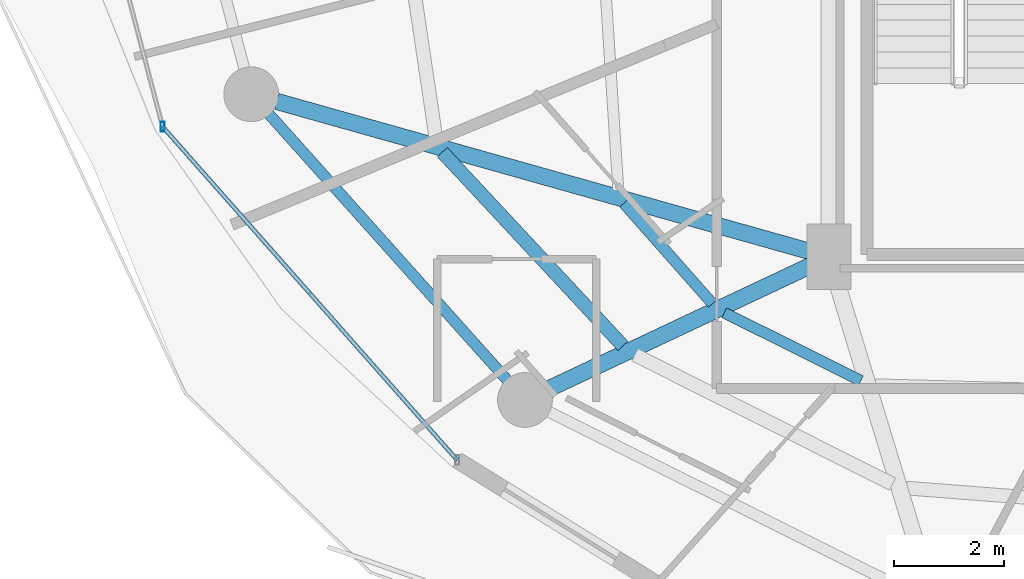
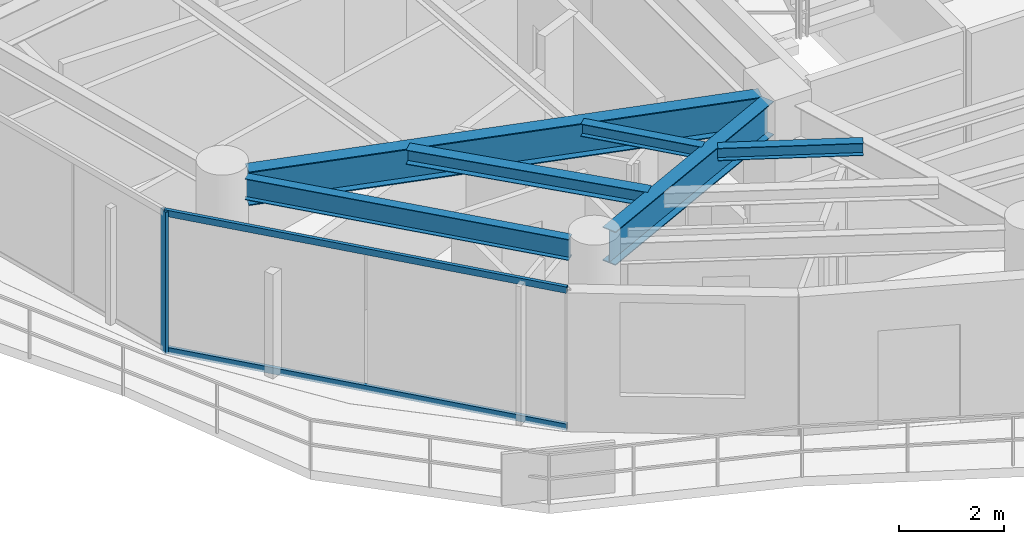
# One storey, part 3 of 28: 6 beams, 3 members, 1 element without a shape of its own.
"""IFC4 building model written with IfcOpenShell, lengths in metres."""

from ifc_helpers import new_model, si_unit, direction, frame, origin, origin_2d, place, context, subcontext, project, spatial, hollow_rectangle, i_section, extrude, material, material_profile, profile_set, type_object, element, aggregate, save


model = new_model("IFC4")

# Units and contexts
model_context = context("Model", 3, precision=1e-05, world=origin(), true_north=direction((0.0, 1.0)))
body_context = subcontext(model_context, "Body", "Model", "MODEL_VIEW")
ifc_project = project(units=[si_unit("LENGTHUNIT", "METRE"), si_unit("AREAUNIT", "SQUARE_METRE"), si_unit("VOLUMEUNIT", "CUBIC_METRE"), si_unit("PLANEANGLEUNIT", "RADIAN"), si_unit("MASSUNIT", "GRAM", prefix="KILO")], contexts=[model_context])

# Site, building, storey
site_placement = place(None, origin())
site = spatial("IfcSite", under=ifc_project, at=site_placement, CompositionType="ELEMENT")
building_placement = place(site_placement, origin())
building = spatial("IfcBuilding", under=site, at=building_placement, Name="Vorneva Point Tower", CompositionType="ELEMENT")
storey_placement = place(building_placement, frame((0.0, 0.0, 164.10009765625)))
storey = spatial("IfcBuildingStorey", under=building, at=storey_placement, Name="L44", CompositionType="ELEMENT", Elevation=164.10009765625)

# Beams
ifc_material_1 = material(Name="Steel S355", Category="steel")
ifc_material_profile_1 = material_profile(ifc_material_1, i_section(OverallWidth=0.300048828125, OverallDepth=0.7880859375, WebThickness=0.014404296875, FlangeThickness=0.02197265625, at=origin_2d()), Name="80Sh1")
ifc_profile_set_1 = profile_set([ifc_material_profile_1], Name="Steel S355")
beam_type_1 = type_object("IfcBeamType", Name="BM-GRD-80Sh1", PredefinedType="USERDEFINED", material=ifc_profile_set_1)
beam_1_placement = place(storey_placement, frame((17.17431640625, 19.28564453125, 2.845947265625), z_axis=(0.96260085362, -0.270923599213, 0.0), x_axis=(0.270923599213, 0.96260085362, 0.0)))
element("IfcBeam", 1, at=beam_1_placement, inside=storey, type_object=beam_type_1, Name="L44 Radial Primary Girder 10", ObjectType="GIRDER", PredefinedType="USERDEFINED", context=body_context, shape_type="SweptSolid", body=[
    extrude(i_section(OverallWidth=0.300048828125, OverallDepth=0.7880859375, WebThickness=0.014404296875, FlangeThickness=0.02197265625, at=origin_2d()), origin(), (0.0, 0.0, 1.0), 10.126953125),
])
beam_2_placement = place(storey_placement, frame((22.142578125, 14.045654296875, 2.845947265625), z_axis=(0.904761331435, 0.425918927896, 0.0), x_axis=(-0.425918927896, 0.904761331435, 0.0)))
element("IfcBeam", 2, at=beam_2_placement, inside=storey, type_object=beam_type_1, Name="L44 Radial Primary Girder 11", ObjectType="GIRDER", PredefinedType="USERDEFINED", context=body_context, shape_type="SweptSolid", body=[
    extrude(i_section(OverallWidth=0.300048828125, OverallDepth=0.7880859375, WebThickness=0.014404296875, FlangeThickness=0.02197265625, at=origin_2d()), origin(), (0.0, 0.0, 1.0), 5.304931640625),
])
ifc_material_profile_2 = material_profile(ifc_material_1, i_section(OverallWidth=0.199951171875, OverallDepth=0.291015625, WebThickness=0.008056640625, FlangeThickness=0.010986328125, at=origin_2d()), Name="30Sh1")
ifc_profile_set_2 = profile_set([ifc_material_profile_2], Name="Steel S355")
beam_type_2 = type_object("IfcBeamType", Name="BM-SEC-30Sh1", PredefinedType="BEAM", material=ifc_profile_set_2)
beam_3_placement = place(storey_placement, frame((23.504638671875, 17.426513671875, 3.094482421875), z_axis=(0.662209536351, -0.74931871054, 0.0), x_axis=(0.74931871054, 0.662209536351, 0.0)))
element("IfcBeam", 3, at=beam_3_placement, inside=storey, type_object=beam_type_2, Name="L44 Secondary Floor Beam 2.10", PredefinedType="BEAM", context=body_context, shape_type="SweptSolid", body=[
    extrude(i_section(OverallWidth=0.199951171875, OverallDepth=0.291015625, WebThickness=0.008056640625, FlangeThickness=0.010986328125, at=origin_2d()), origin(), (0.0, 0.0, 1.0), 2.44384765625),
])
beam_4_placement = place(storey_placement, frame((25.338134765625, 15.430419921875, 3.094482421875), z_axis=(0.895266564534, -0.445530895031, 0.0), x_axis=(0.445530895031, 0.895266564534, 0.0)))
element("IfcBeam", 4, at=beam_4_placement, inside=storey, type_object=beam_type_2, Name="L44 Secondary Floor Beam 2.11", PredefinedType="BEAM", context=body_context, shape_type="SweptSolid", body=[
    extrude(i_section(OverallWidth=0.199951171875, OverallDepth=0.291015625, WebThickness=0.008056640625, FlangeThickness=0.010986328125, at=origin_2d()), origin(), (0.0, 0.0, 1.0), 2.787109375),
])
ifc_material_profile_3 = material_profile(ifc_material_1, i_section(OverallWidth=0.2490234375, OverallDepth=0.333984375, WebThickness=0.008056640625, FlangeThickness=0.010986328125, at=origin_2d()), Name="35Sh1")
ifc_profile_set_3 = profile_set([ifc_material_profile_3], Name="Steel S355")
beam_type_3 = type_object("IfcBeamType", Name="BM-SEC-35Sh1", PredefinedType="BEAM", material=ifc_profile_set_3)
beam_5_placement = place(storey_placement, frame((20.193115234375, 18.361572265625, 3.072998046875), z_axis=(0.68166662065, -0.731662913022, 0.0), x_axis=(0.731662913022, 0.68166662065, 0.0)))
element("IfcBeam", 5, at=beam_5_placement, inside=storey, type_object=beam_type_3, Name="L44 Secondary Floor Beam 1.10", PredefinedType="BEAM", context=body_context, shape_type="SweptSolid", body=[
    extrude(i_section(OverallWidth=0.2490234375, OverallDepth=0.333984375, WebThickness=0.008056640625, FlangeThickness=0.010986328125, at=origin_2d()), origin(), (0.0, 0.0, 1.0), 4.834228515625),
])
ifc_material_profile_4 = material_profile(ifc_material_1, i_section(OverallWidth=0.199951171875, OverallDepth=0.491943359375, WebThickness=0.0087890625, FlangeThickness=0.011962890625, at=origin_2d()), Name="50B1")
ifc_profile_set_4 = profile_set([ifc_material_profile_4], Name="Steel S355")
beam_type_4 = type_object("IfcBeamType", Name="BM-SPN-50B1", PredefinedType="SPANDREL", material=ifc_profile_set_4)
beam_6_placement = place(storey_placement, frame((17.028076171875, 19.056396484375, 2.993896484375), z_axis=(0.667111118975, -0.74495822362, 0.0), x_axis=(0.74495822362, 0.667111118975, 0.0)))
element("IfcBeam", 6, at=beam_6_placement, inside=storey, type_object=beam_type_4, Name="L44 Perimeter Spandrel Ring Beam 10", PredefinedType="SPANDREL", context=body_context, shape_type="SweptSolid", body=[
    extrude(i_section(OverallWidth=0.199951171875, OverallDepth=0.491943359375, WebThickness=0.0087890625, FlangeThickness=0.011962890625, at=origin_2d()), origin(), (0.0, 0.0, 1.0), 6.52001953125),
])

# Curtain wall, members
ifc_material_2 = material(Name="Pale anodised aluminium", Category="aluminium")
curtain_wall_type = type_object("IfcCurtainWallType", Name="CW-RES-SYS", PredefinedType="NOTDEFINED", material=ifc_material_2)
curtain_wall_placement = place(storey_placement, origin())
curtain_wall = element("IfcCurtainWall", 7, at=curtain_wall_placement, inside=storey, type_object=curtain_wall_type, Name="L44 Unitised Curtain Wall CW-L44-R03", PredefinedType="NOTDEFINED")
ifc_material_profile_5 = material_profile(ifc_material_2, hollow_rectangle(XDim=0.074951171875, YDim=0.179931640625, WallThickness=0.00390625, at=origin_2d()), Name="AL-MUL 180x75x4")
ifc_profile_set_5 = profile_set([ifc_material_profile_5], Name="Pale anodised aluminium")
member_type_1 = type_object("IfcMemberType", Name="CW-MUL-180", PredefinedType="MULLION", material=ifc_profile_set_5)
member_1_placement = place(storey_placement, frame((15.087890625, 18.82470703125, -0.0400390625), z_axis=(0.0, 0.0, 1.0), x_axis=(1.0, 0.0, 0.0)))
member_1 = element("IfcMember", 8, at=member_1_placement, type_object=member_type_1, Name="CW-L44-R03 Mullion 04", PredefinedType="MULLION", context=body_context, shape_type="SweptSolid", body=[
    extrude(hollow_rectangle(XDim=0.074951171875, YDim=0.179931640625, WallThickness=0.00390625, at=origin_2d()), origin(), (0.0, 0.0, 1.0), 3.31005859375),
])
ifc_material_profile_6 = material_profile(ifc_material_2, hollow_rectangle(XDim=0.074951171875, YDim=0.14990234375, WallThickness=0.00390625, at=origin_2d()), Name="AL-TRN 150x75x4")
ifc_profile_set_6 = profile_set([ifc_material_profile_6], Name="Pale anodised aluminium")
member_type_2 = type_object("IfcMemberType", Name="CW-TRN-150", PredefinedType="USERDEFINED", material=ifc_profile_set_6)
member_2_placement = place(storey_placement, frame((15.087890625, 18.82470703125, 0.02001953125), z_axis=(0.662218216609, -0.749311039283, 0.0), x_axis=(0.749311039283, 0.662218216609, 0.0)))
member_2 = element("IfcMember", 9, at=member_2_placement, type_object=member_type_2, Name="CW-L44-R03 Transom 04.1", ObjectType="TRANSOM", PredefinedType="USERDEFINED", context=body_context, shape_type="SweptSolid", body=[
    extrude(hollow_rectangle(XDim=0.074951171875, YDim=0.14990234375, WallThickness=0.00390625, at=origin_2d()), origin(), (0.0, 0.0, 1.0), 8.1181640625),
])
member_3_placement = place(storey_placement, frame((15.087890625, 18.82470703125, 3.219970703125), z_axis=(0.662218216609, -0.749311039283, 0.0), x_axis=(0.749311039283, 0.662218216609, 0.0)))
member_3 = element("IfcMember", 10, at=member_3_placement, type_object=member_type_2, Name="CW-L44-R03 Transom 04.2", ObjectType="TRANSOM", PredefinedType="USERDEFINED", context=body_context, shape_type="SweptSolid", body=[
    extrude(hollow_rectangle(XDim=0.074951171875, YDim=0.14990234375, WallThickness=0.00390625, at=origin_2d()), origin(), (0.0, 0.0, 1.0), 8.1181640625),
])
aggregate(curtain_wall, [member_1, member_2, member_3])

save(model, "model.ifc")
